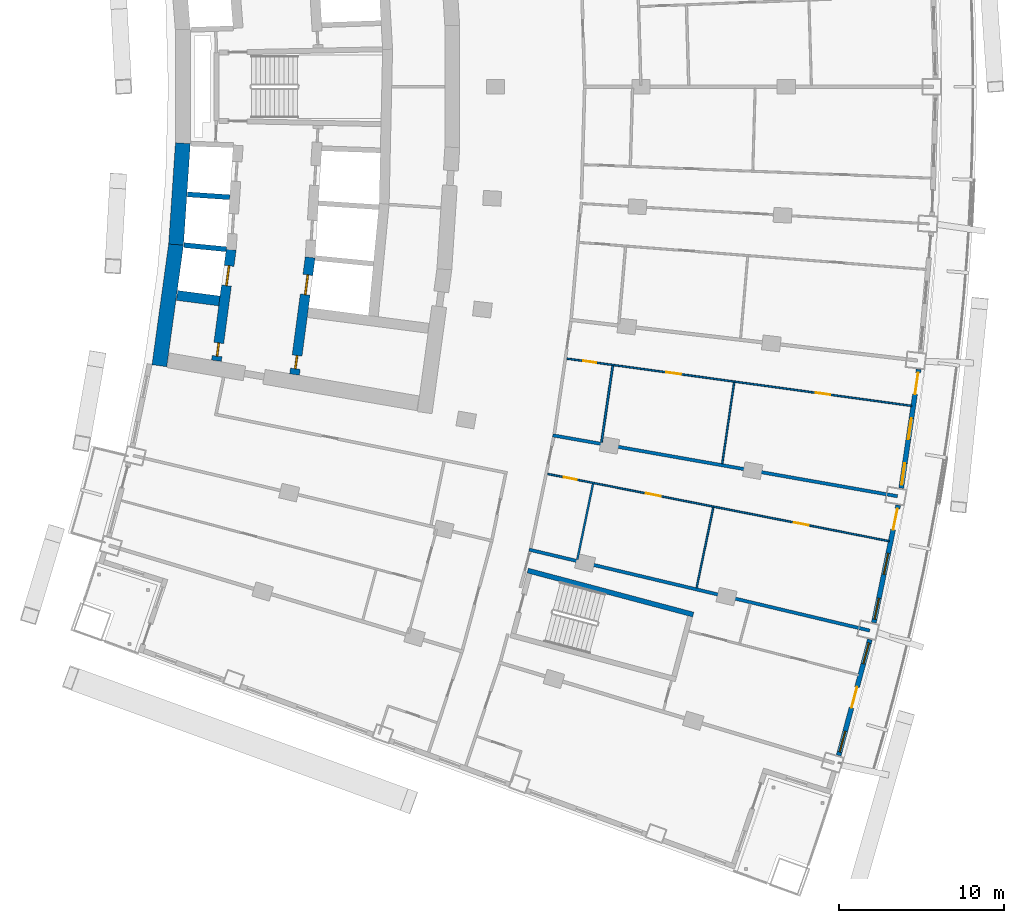
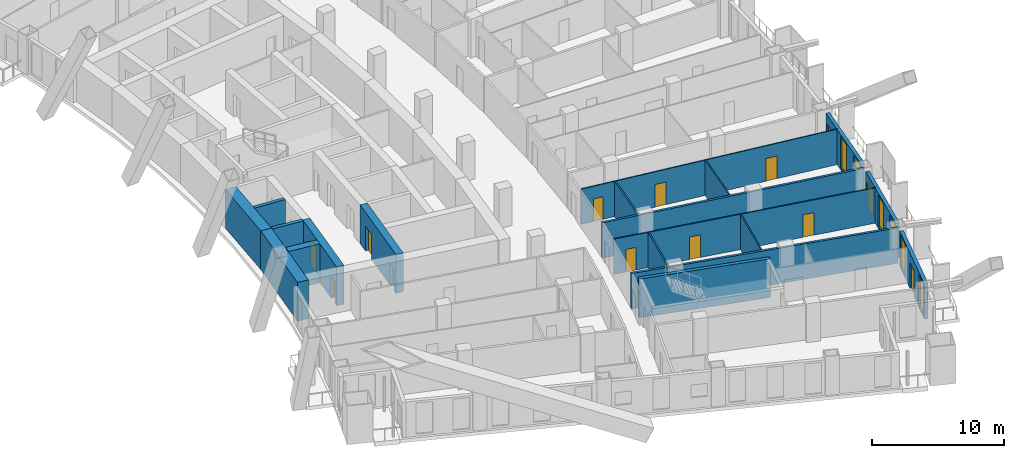
# One storey, part 15 of 25: 19 walls, 13 doors, 6 windows, 19 openings.
"""IFC4 building model written with IfcOpenShell, lengths in metres."""

import ifcopenshell
import ifcopenshell.guid

model = None  # the IFC model being written
_history = None  # IfcOwnerHistory: only IFC2X3 demands one
_inside = {}  # id of a spatial element -> (the spatial element, [elements in it])
_under = {}  # id of a project, library or spatial element -> (it, [spatial elements below it])
_declared = {}  # id of a project -> (the project, [libraries it declares])
_typed = {}  # id of a type object -> (the type object, [elements of that type])
_made_of = {}  # id of a material, layer set ... -> (it, [elements and type objects made of it])


def new_model(schema):
    """Start an empty IFC model of exactly this schema.

    Asked for "IFC4X3", IfcOpenShell would pick the latest addendum, in which some entities
    have other attributes; the version numbers below select the first issue.
    IFC2X3 requires an IfcOwnerHistory on every rooted entity: one is made here for all.
    """
    global model, _history
    if schema == "IFC4X3":
        model = ifcopenshell.file(schema_version=(4, 3, 0, 0))
    else:
        model = ifcopenshell.file(schema=schema)
    _inside.clear()
    _under.clear()
    _declared.clear()
    _typed.clear()
    _made_of.clear()
    _history = None
    if model.schema == "IFC2X3":
        org = make("IfcOrganization", Name="unknown")
        user = make(
            "IfcPersonAndOrganization",
            ThePerson=make("IfcPerson", FamilyName="unknown"),
            TheOrganization=org,
        )
        app = make(
            "IfcApplication",
            ApplicationDeveloper=org,
            Version="unknown",
            ApplicationFullName="unknown",
            ApplicationIdentifier="unknown",
        )
        _history = make(
            "IfcOwnerHistory",
            OwningUser=user,
            OwningApplication=app,
            ChangeAction="ADDED",
            CreationDate=0,
        )
    return model


def make(cls, **values):
    """One entity of the class cls with the attributes given. An attribute that is None is left unset."""
    return model.create_entity(
        cls, **{name: value for name, value in values.items() if value is not None}
    )


def rooted(cls, **values):
    """An entity with a GlobalId (a new one), such as an element, a storey or a relation."""
    return make(cls, GlobalId=ifcopenshell.guid.new(), OwnerHistory=_history, **values)


def si_unit(unit_type, name, prefix=None):
    """IfcSIUnit, for example si_unit("LENGTHUNIT", "METRE", prefix="MILLI")."""
    return make("IfcSIUnit", UnitType=unit_type, Prefix=prefix, Name=name)


def assignment(units):
    """IfcUnitAssignment: the units of a project."""
    return None if units is None else make("IfcUnitAssignment", Units=units)


def point(xyz):
    """IfcCartesianPoint."""
    return None if xyz is None else make("IfcCartesianPoint", Coordinates=xyz)


def direction(xyz):
    """IfcDirection."""
    return None if xyz is None else make("IfcDirection", DirectionRatios=xyz)


def frame(location, z_axis=None, x_axis=None):
    """IfcAxis2Placement3D, a coordinate frame: its origin and axes. An axis left out is left unset."""
    return make(
        "IfcAxis2Placement3D",
        Location=point(location),
        Axis=direction(z_axis),
        RefDirection=direction(x_axis),
    )


def frame_2d(location, x_axis=None):
    """IfcAxis2Placement2D, a coordinate frame in the plane: its origin and x axis."""
    return make(
        "IfcAxis2Placement2D", Location=point(location), RefDirection=direction(x_axis)
    )


def origin():
    """The frame at (0, 0, 0) with its axes left unset."""
    return frame((0.0, 0.0, 0.0))


def place(relative_to, where):
    """IfcLocalPlacement: puts the frame where relative to a parent placement (None: the world)."""
    return make(
        "IfcLocalPlacement", PlacementRelTo=relative_to, RelativePlacement=where
    )


def context(
    kind, dimensions, precision=None, world=None, true_north=None, identifier=None
):
    """IfcGeometricRepresentationContext, for example the 3D "Model" context."""
    return make(
        "IfcGeometricRepresentationContext",
        ContextIdentifier=identifier,
        ContextType=kind,
        CoordinateSpaceDimension=dimensions,
        Precision=precision,
        WorldCoordinateSystem=world,
        TrueNorth=true_north,
    )


def subcontext(parent, identifier, kind, view, scale=None):
    """IfcGeometricRepresentationSubContext, for example "Body" below "Model"."""
    return make(
        "IfcGeometricRepresentationSubContext",
        ContextIdentifier=identifier,
        ContextType=kind,
        ParentContext=parent,
        TargetScale=scale,
        TargetView=view,
    )


def project(units=None, contexts=None):
    """IfcProject with its units and contexts."""
    return rooted(
        "IfcProject",
        Name="project",
        RepresentationContexts=contexts,
        UnitsInContext=assignment(units),
    )


def spatial(cls, under=None, at=None, **own):
    """A site, building, storey or space (cls), placed at a placement, below another one or the project."""
    s = rooted(cls, ObjectPlacement=at, **own)
    if under is not None:
        _under.setdefault(under.id(), (under, []))[1].append(s)
    return s


def profile(cls, at=None, kind="AREA", **sizes):
    """A parametric profile (cls). Its sizes go by their IFC names, for example OverallWidth=200.0."""
    return make(cls, ProfileType=kind, Position=at, **sizes)


def rectangle(**sizes):
    """IfcRectangleProfileDef."""
    return profile("IfcRectangleProfileDef", **sizes)


def extrude(swept, where, along, depth):
    """IfcExtrudedAreaSolid: the profile swept, set in the frame where, extruded along a direction by depth."""
    return make(
        "IfcExtrudedAreaSolid",
        SweptArea=swept,
        Position=where,
        ExtrudedDirection=direction(along),
        Depth=depth,
    )


def shape(context_of_items, identifier, shape_type, items):
    """IfcShapeRepresentation: the items that make up one representation, for example the "Body"."""
    return make(
        "IfcShapeRepresentation",
        ContextOfItems=context_of_items,
        RepresentationIdentifier=identifier,
        RepresentationType=shape_type,
        Items=items,
    )


def material(Name=None, Category=None):
    """IfcMaterial."""
    return make("IfcMaterial", Name=Name, Category=Category)


def layer(
    of_material, thickness, ventilated=None, Name=None, Category=None, Priority=None
):
    """IfcMaterialLayer: one layer of a wall or slab, of a material (None: an air gap)."""
    return make(
        "IfcMaterialLayer",
        Material=of_material,
        LayerThickness=thickness,
        IsVentilated=ventilated,
        Name=Name,
        Category=Category,
        Priority=Priority,
    )


def layer_set(layers, Name=None):
    """IfcMaterialLayerSet."""
    return make("IfcMaterialLayerSet", MaterialLayers=layers, LayerSetName=Name)


def made_of(thing, what):
    """Note that an element or type object is made of a material, layer set ...; save() writes the relation."""
    if what is not None:
        _made_of.setdefault(what.id(), (what, []))[1].append(thing)
    return thing


def type_object(cls, material=None, **own):
    """A type object (cls), such as IfcWallType, which elements share."""
    return made_of(rooted(cls, **own), material)


def element(
    cls,
    number,
    at=None,
    inside=None,
    cuts=None,
    type_object=None,
    material=None,
    context=None,
    identifier="Body",
    shape_type=None,
    held_by="IfcProductDefinitionShape",
    body=None,
    shapes=None,
    **own,
):
    """One element of the class cls, such as IfcWall. Its Tag is "e" and its number.

    at: its placement. inside: the storey or other place that contains it. cuts: it is an
    opening in that element (IfcRelVoidsElement). A single representation is given by context,
    identifier, shape_type and body (its items); several are given by shapes. held_by: the class
    of the entity that holds the representations. save() writes the other relations.
    """
    e = rooted(cls, Tag="e%d" % number, ObjectPlacement=at, **own)
    if body is not None:
        shapes = [shape(context, identifier, shape_type, body)]
    if shapes is not None:
        e.Representation = make(held_by, Representations=shapes)
    if inside is not None:
        _inside.setdefault(inside.id(), (inside, []))[1].append(e)
    if cuts is not None:
        rooted(
            "IfcRelVoidsElement", RelatingBuildingElement=cuts, RelatedOpeningElement=e
        )
    if type_object is not None:
        _typed.setdefault(type_object.id(), (type_object, []))[1].append(e)
    return made_of(e, material)


def fill(opening, filler):
    """IfcRelFillsElement: the door or window that sits in an opening."""
    return rooted(
        "IfcRelFillsElement",
        RelatingOpeningElement=opening,
        RelatedBuildingElement=filler,
    )


def aggregate(whole, parts):
    """IfcRelAggregates: a whole, such as a stair, and the parts it consists of."""
    return rooted("IfcRelAggregates", RelatingObject=whole, RelatedObjects=parts)


def save(model, path):
    """Write the relations noted so far, then the file.

    IfcRelAggregates (storeys below a building ...), IfcRelContainedInSpatialStructure (elements
    in a storey), IfcRelDefinesByType, IfcRelAssociatesMaterial and IfcRelDeclares: one each for
    every whole, place, type object, material and project.
    """
    for whole, parts in _under.values():
        aggregate(whole, parts)
    for where, things in _inside.values():
        rooted(
            "IfcRelContainedInSpatialStructure",
            RelatedElements=things,
            RelatingStructure=where,
        )
    for kind, things in _typed.values():
        rooted("IfcRelDefinesByType", RelatedObjects=things, RelatingType=kind)
    for what, things in _made_of.values():
        rooted("IfcRelAssociatesMaterial", RelatedObjects=things, RelatingMaterial=what)
    for by, libraries in _declared.values():
        rooted("IfcRelDeclares", RelatingContext=by, RelatedDefinitions=libraries)
    model.write(path)


model = new_model("IFC4")

# Units and contexts
model_context = context("Model", 3, precision=1e-05, world=origin(), true_north=direction((0.0, 1.0)))
body_context = subcontext(model_context, "Body", "Model", "MODEL_VIEW")
ifc_project = project(units=[si_unit("LENGTHUNIT", "METRE"), si_unit("AREAUNIT", "SQUARE_METRE"), si_unit("VOLUMEUNIT", "CUBIC_METRE"), si_unit("PLANEANGLEUNIT", "RADIAN"), si_unit("MASSUNIT", "GRAM", prefix="KILO")], contexts=[model_context])

# Site, building, storey
site_placement = place(None, origin())
site = spatial("IfcSite", under=ifc_project, at=site_placement, CompositionType="ELEMENT")
building_placement = place(site_placement, origin())
building = spatial("IfcBuilding", under=site, at=building_placement, Name="Alderwake Tower", CompositionType="ELEMENT")
storey_placement = place(building_placement, frame((0.0, 0.0, 64.39990234375)))
storey = spatial("IfcBuildingStorey", under=building, at=storey_placement, Name="L15", CompositionType="ELEMENT", Elevation=64.39990234375)

# Walls
ifc_material_1 = material(Name="Concrete C70/85", Category="concrete")
ifc_layer_1 = layer(ifc_material_1, 0.89990234375)
ifc_layer_set_1 = layer_set([ifc_layer_1], Name="Core wall outer 900 C70-85")
wall_type_1 = type_object("IfcWallType", Name="Core wall outer 900 C70-85", PredefinedType="SHEAR", material=ifc_layer_set_1)
wall_1_placement = place(storey_placement, frame((15.46923828125, 44.1201171875, 0.0), z_axis=(0.0, 0.0, 1.0), x_axis=(0.136337234661, 0.990662484626, 0.0)))
element("IfcWall", 1, at=wall_1_placement, inside=storey, type_object=wall_type_1, Name="Core wall CW.042", PredefinedType="SHEAR", context=body_context, shape_type="SweptSolid", body=[
    extrude(rectangle(XDim=7.431396484375, YDim=0.89990234375, at=frame_2d((3.7158203125, 0.0))), origin(), (0.0, 0.0, 1.0), 3.60009765625),
])
wall_2_placement = place(storey_placement, frame((16.47900390625, 51.449951171875, 0.0), z_axis=(0.0, 0.0, 1.0), x_axis=(0.06689316208, 0.997760143956, 0.0)))
element("IfcWall", 2, at=wall_2_placement, inside=storey, type_object=wall_type_1, Name="Core wall CW.041", PredefinedType="SHEAR", context=body_context, shape_type="SweptSolid", body=[
    extrude(rectangle(XDim=6.149658203125, YDim=0.89990234375, at=frame_2d((3.07470703125, 0.0))), origin(), (0.0, 0.0, 1.0), 3.60009765625),
])
ifc_material_2 = material(Name="Concrete C70/85", Category="concrete")
ifc_layer_2 = layer(ifc_material_2, 0.300048828125)
ifc_layer_set_2 = layer_set([ifc_layer_2], Name="Core wall shaft 300 C70-85")
wall_type_2 = type_object("IfcWallType", Name="Core wall shaft 300 C70-85", PredefinedType="SHEAR", material=ifc_layer_set_2)
wall_3_placement = place(storey_placement, frame((16.9580078125, 51.4189453125, 0.0), z_axis=(0.0, 0.0, 1.0), x_axis=(0.995153154577, -0.098337169657, 0.0)))
element("IfcWall", 3, at=wall_3_placement, inside=storey, type_object=wall_type_2, Name="Core wall CW.065", PredefinedType="SHEAR", context=body_context, shape_type="SweptSolid", body=[
    extrude(rectangle(XDim=2.569580078125, YDim=0.300048828125, at=frame_2d((1.28466796875, 0.0))), origin(), (0.0, 0.0, 1.0), 3.60009765625),
])
wall_4_placement = place(storey_placement, frame((17.16357421875, 54.486083984375, 0.0), z_axis=(0.0, 0.0, 1.0), x_axis=(0.997758581961, -0.066916456292, 0.0)))
element("IfcWall", 4, at=wall_4_placement, inside=storey, type_object=wall_type_2, Name="Core wall CW.079", PredefinedType="SHEAR", context=body_context, shape_type="SweptSolid", body=[
    extrude(rectangle(XDim=2.568603515625, YDim=0.300048828125, at=frame_2d((1.2841796875, 0.0))), origin(), (0.0, 0.0, 1.0), 3.60009765625),
])

# Wall, openings, doors
ifc_material_3 = material(Name="Concrete C70/85", Category="concrete")
ifc_layer_3 = layer(ifc_material_3, 0.60009765625)
ifc_layer_set_3 = layer_set([ifc_layer_3], Name="Core wall spine 600 C70-85")
wall_type_3 = type_object("IfcWallType", Name="Core wall spine 600 C70-85", PredefinedType="SHEAR", material=ifc_layer_set_3)
wall_5_placement = place(storey_placement, frame((19.815185546875, 51.14697265625, 0.0), z_axis=(0.0, 0.0, 1.0), x_axis=(-0.131854836214, -0.991269036219, 0.0)))
wall_5 = element("IfcWall", 5, at=wall_5_placement, inside=storey, type_object=wall_type_3, Name="Core wall CW.033", PredefinedType="SHEAR", context=body_context, shape_type="SweptSolid", body=[
    extrude(rectangle(XDim=6.782470703125, YDim=0.60009765625, at=frame_2d((3.39111328125, 0.0))), origin(), (0.0, 0.0, 1.0), 3.60009765625),
])
opening_1_placement = place(wall_5_placement, frame((0.9921875, 0.0, 0.0)))
opening_1 = element("IfcOpeningElement", 6, at=opening_1_placement, cuts=wall_5, Name="Opening LD-LP1", PredefinedType="OPENING", context=body_context, shape_type="SweptSolid", body=[
    extrude(rectangle(XDim=1.199951171875, YDim=2.300048828125, at=frame_2d((0.60009765625, 1.14990234375))), frame((0.0, 0.31005859375, 0.0), z_axis=(0.0, -1.0, 0.0), x_axis=(1.0, 0.0, 0.0)), (0.0, 0.0, 1.0), 0.6201171875),
])
opening_2_placement = place(wall_5_placement, frame((5.699951171875, 0.0, 0.0)))
opening_2 = element("IfcOpeningElement", 7, at=opening_2_placement, cuts=wall_5, Name="Opening C007", PredefinedType="OPENING", context=body_context, shape_type="SweptSolid", body=[
    extrude(rectangle(XDim=0.800048828125, YDim=2.0, at=frame_2d((0.39990234375, 1.0))), frame((0.0, 0.31005859375, 0.0), z_axis=(0.0, -1.0, 0.0), x_axis=(1.0, 0.0, 0.0)), (0.0, 0.0, 1.0), 0.6201171875),
])
ifc_material_4 = material(Name="Stainless steel sliding leaf", Category="steel")
door_type_1 = type_object("IfcDoorType", Name="Lift landing door 1200", OperationType="SLIDING_TO_LEFT", PredefinedType="DOOR", material=ifc_material_4)
door_1_placement = place(opening_1_placement, origin())
door_1 = element("IfcDoor", 8, at=door_1_placement, inside=storey, type_object=door_type_1, Name="Lift landing door LP1", OperationType="SLIDING_TO_LEFT", OverallHeight=2.300048828125, OverallWidth=1.199951171875, PredefinedType="DOOR", context=body_context, shape_type="SweptSolid", body=[
    extrude(rectangle(XDim=1.199951171875, YDim=2.300048828125, at=frame_2d((0.60009765625, 1.14990234375))), frame((0.0, 0.050048828125, 0.0), z_axis=(0.0, -1.0, 0.0), x_axis=(1.0, 0.0, 0.0)), (0.0, 0.0, 1.0), 0.10009765625),
])
fill(opening_1, door_1)
ifc_material_5 = material(Name="Painted steel leaf, rated", Category="steel")
door_type_2 = type_object("IfcDoorType", Name="Riser access door 800", OperationType="SINGLE_SWING_LEFT", PredefinedType="DOOR", material=ifc_material_5)
door_2_placement = place(opening_2_placement, origin())
door_2 = element("IfcDoor", 9, at=door_2_placement, inside=storey, type_object=door_type_2, Name="Riser access door", OperationType="SINGLE_SWING_LEFT", OverallHeight=2.0, OverallWidth=0.800048828125, PredefinedType="DOOR", context=body_context, shape_type="SweptSolid", body=[
    extrude(rectangle(XDim=0.800048828125, YDim=2.0, at=frame_2d((0.39990234375, 1.0))), frame((0.0, 0.050048828125, 0.0), z_axis=(0.0, -1.0, 0.0), x_axis=(1.0, 0.0, 0.0)), (0.0, 0.0, 1.0), 0.10009765625),
])
fill(opening_2, door_2)

wall_6_placement = place(storey_placement, frame((23.647705078125, 43.588134765625, 0.0), z_axis=(0.0, 0.0, 1.0), x_axis=(0.132069785658, 0.991240420744, 0.0)))
wall_6 = element("IfcWall", 10, at=wall_6_placement, inside=storey, type_object=wall_type_3, Name="Core wall CW.047", PredefinedType="SHEAR", context=body_context, shape_type="SweptSolid", body=[
    extrude(rectangle(XDim=7.150390625, YDim=0.60009765625, at=frame_2d((3.5751953125, 0.0))), origin(), (0.0, 0.0, 1.0), 3.60009765625),
])
opening_3_placement = place(wall_6_placement, frame((4.88134765625, 0.0, 0.0)))
opening_3 = element("IfcOpeningElement", 11, at=opening_3_placement, cuts=wall_6, Name="Opening LD-LP4", PredefinedType="OPENING", context=body_context, shape_type="SweptSolid", body=[
    extrude(rectangle(XDim=1.199951171875, YDim=2.300048828125, at=frame_2d((0.60009765625, 1.14990234375))), frame((0.0, 0.31005859375, 0.0), z_axis=(0.0, -1.0, 0.0), x_axis=(1.0, 0.0, 0.0)), (0.0, 0.0, 1.0), 0.6201171875),
])
opening_4_placement = place(wall_6_placement, frame((0.35791015625, 0.0, 0.0)))
opening_4 = element("IfcOpeningElement", 12, at=opening_4_placement, cuts=wall_6, Name="Opening C014", PredefinedType="OPENING", context=body_context, shape_type="SweptSolid", body=[
    extrude(rectangle(XDim=0.800048828125, YDim=2.0, at=frame_2d((0.39990234375, 1.0))), frame((0.0, 0.31005859375, 0.0), z_axis=(0.0, -1.0, 0.0), x_axis=(1.0, 0.0, 0.0)), (0.0, 0.0, 1.0), 0.6201171875),
])
door_3_placement = place(opening_3_placement, origin())
door_3 = element("IfcDoor", 13, at=door_3_placement, inside=storey, type_object=door_type_1, Name="Lift landing door LP4", OperationType="SLIDING_TO_LEFT", OverallHeight=2.300048828125, OverallWidth=1.199951171875, PredefinedType="DOOR", context=body_context, shape_type="SweptSolid", body=[
    extrude(rectangle(XDim=1.199951171875, YDim=2.300048828125, at=frame_2d((0.60009765625, 1.14990234375))), frame((0.0, 0.050048828125, 0.0), z_axis=(0.0, -1.0, 0.0), x_axis=(1.0, 0.0, 0.0)), (0.0, 0.0, 1.0), 0.10009765625),
])
fill(opening_3, door_3)
door_4_placement = place(opening_4_placement, origin())
door_4 = element("IfcDoor", 14, at=door_4_placement, inside=storey, type_object=door_type_2, Name="Riser access door", OperationType="SINGLE_SWING_RIGHT", OverallHeight=2.0, OverallWidth=0.800048828125, PredefinedType="DOOR", context=body_context, shape_type="SweptSolid", body=[
    extrude(rectangle(XDim=0.800048828125, YDim=2.0, at=frame_2d((0.39990234375, 1.0))), frame((0.0, 0.050048828125, 0.0), z_axis=(0.0, -1.0, 0.0), x_axis=(1.0, 0.0, 0.0)), (0.0, 0.0, 1.0), 0.10009765625),
])
fill(opening_4, door_4)

# Walls
wall_7_placement = place(storey_placement, frame((16.5390625, 48.373291015625, 0.0), z_axis=(0.0, 0.0, 1.0), x_axis=(0.99156081818, -0.129642369037, 0.0)))
element("IfcWall", 15, at=wall_7_placement, inside=storey, type_object=wall_type_3, Name="Core wall CW.067", PredefinedType="SHEAR", context=body_context, shape_type="SweptSolid", body=[
    extrude(rectangle(XDim=2.581787109375, YDim=0.60009765625, at=frame_2d((1.291015625, 0.0))), origin(), (0.0, 0.0, 1.0), 3.60009765625),
])
ifc_material_6 = material(Name="Concrete C70/85", Category="concrete")
ifc_layer_4 = layer(ifc_material_6, 0.300048828125)
ifc_layer_set_4 = layer_set([ifc_layer_4], Name="Core wall stair enclosure 300 C70-85")
wall_type_4 = type_object("IfcWallType", Name="Core wall stair enclosure 300 C70-85", PredefinedType="SHEAR", material=ifc_layer_set_4)
wall_8_placement = place(storey_placement, frame((37.75390625, 31.731201171875, 0.0), z_axis=(0.0, 0.0, 1.0), x_axis=(0.966309214305, -0.257383958996, 0.0)))
element("IfcWall", 16, at=wall_8_placement, inside=storey, type_object=wall_type_4, Name="Core wall CW.086", PredefinedType="SHEAR", context=body_context, shape_type="SweptSolid", body=[
    extrude(rectangle(XDim=10.360107421875, YDim=0.300048828125, at=frame_2d((5.18017578125, 0.0))), origin(), (0.0, 0.0, 1.0), 3.60009765625),
])

# Wall, openings, door, windows
ifc_material_7 = material(Name="Precast concrete C50/60 spandrel panel", Category="concrete")
ifc_layer_5 = layer(ifc_material_7, 0.300048828125)
ifc_layer_set_5 = layer_set([ifc_layer_5], Name="External wall EW1 Precast concrete C50/60 spandrel")
wall_type_5 = type_object("IfcWallType", Name="External wall EW1 Precast concrete C50/60 spandrel", PredefinedType="SOLIDWALL", material=ifc_layer_set_5)
wall_9_placement = place(storey_placement, frame((56.56982421875, 20.545166015625, 0.0), z_axis=(0.0, 0.0, 1.0), x_axis=(0.259495836826, 0.96574422632, 0.0)))
wall_9 = element("IfcWall", 17, at=wall_9_placement, inside=storey, type_object=wall_type_5, Name="External wall 12", PredefinedType="SOLIDWALL", context=body_context, shape_type="SweptSolid", body=[
    extrude(rectangle(XDim=7.259521484375, YDim=0.300048828125, at=frame_2d((3.6298828125, 0.0))), origin(), (0.0, 0.0, 1.0), 3.280029296875),
])
opening_5_placement = place(wall_9_placement, frame((0.215087890625, 0.0, 0.199951171875)))
opening_5 = element("IfcOpeningElement", 18, at=opening_5_placement, cuts=wall_9, Name="Opening W1", PredefinedType="OPENING", context=body_context, shape_type="SweptSolid", body=[
    extrude(rectangle(XDim=1.300048828125, YDim=2.89990234375, at=frame_2d((0.64990234375, 1.449951171875))), frame((0.0, 0.159912109375, 0.0), z_axis=(0.0, -1.0, 0.0), x_axis=(1.0, 0.0, 0.0)), (0.0, 0.0, 1.0), 0.320068359375),
])
opening_6_placement = place(wall_9_placement, frame((2.979736328125, 0.0, 0.0)))
opening_6 = element("IfcOpeningElement", 19, at=opening_6_placement, cuts=wall_9, Name="Opening D03", PredefinedType="OPENING", context=body_context, shape_type="SweptSolid", body=[
    extrude(rectangle(XDim=1.300048828125, YDim=2.39990234375, at=frame_2d((0.64990234375, 1.199951171875))), frame((0.0, 0.159912109375, 0.0), z_axis=(0.0, -1.0, 0.0), x_axis=(1.0, 0.0, 0.0)), (0.0, 0.0, 1.0), 0.320068359375),
])
opening_7_placement = place(wall_9_placement, frame((5.744384765625, 0.0, 0.199951171875)))
opening_7 = element("IfcOpeningElement", 20, at=opening_7_placement, cuts=wall_9, Name="Opening W1", PredefinedType="OPENING", context=body_context, shape_type="SweptSolid", body=[
    extrude(rectangle(XDim=1.300048828125, YDim=2.89990234375, at=frame_2d((0.64990234375, 1.449951171875))), frame((0.0, 0.159912109375, 0.0), z_axis=(0.0, -1.0, 0.0), x_axis=(1.0, 0.0, 0.0)), (0.0, 0.0, 1.0), 0.320068359375),
])
ifc_material_8 = material(Name="Bronze tinted glass in aluminium frame", Category="aluminium")
door_type_3 = type_object("IfcDoorType", Name="Balcony door BD sliding", OperationType="SLIDING_TO_LEFT", PredefinedType="DOOR", material=ifc_material_8)
door_5_placement = place(opening_6_placement, origin())
door_5 = element("IfcDoor", 21, at=door_5_placement, inside=storey, type_object=door_type_3, Name="Door D03", OperationType="SLIDING_TO_LEFT", OverallHeight=2.39990234375, OverallWidth=1.300048828125, PredefinedType="DOOR", context=body_context, shape_type="SweptSolid", body=[
    extrude(rectangle(XDim=1.300048828125, YDim=2.39990234375, at=frame_2d((0.64990234375, 1.199951171875))), frame((0.0, 0.02490234375, 0.0), z_axis=(0.0, -1.0, 0.0), x_axis=(1.0, 0.0, 0.0)), (0.0, 0.0, 1.0), 0.050048828125),
])
fill(opening_6, door_5)
ifc_material_9 = material(Name="Bronze tinted glass in aluminium frame", Category="aluminium")
window_type = type_object("IfcWindowType", Name="Window W1 tall fixed and vent", PartitioningType="DOUBLE_PANEL_VERTICAL", PredefinedType="WINDOW", material=ifc_material_9)
window_1_placement = place(opening_5_placement, origin())
window_1 = element("IfcWindow", 22, at=window_1_placement, inside=storey, type_object=window_type, Name="Window W1 tall fixed and vent", OverallHeight=2.89990234375, OverallWidth=1.300048828125, PartitioningType="DOUBLE_PANEL_VERTICAL", PredefinedType="WINDOW", context=body_context, shape_type="SweptSolid", body=[
    extrude(rectangle(XDim=1.300048828125, YDim=2.89990234375, at=frame_2d((0.64990234375, 1.449951171875))), frame((0.0, 0.030029296875, 0.0), z_axis=(0.0, -1.0, 0.0), x_axis=(1.0, 0.0, 0.0)), (0.0, 0.0, 1.0), 0.06005859375),
])
fill(opening_5, window_1)
window_2_placement = place(opening_7_placement, origin())
window_2 = element("IfcWindow", 23, at=window_2_placement, inside=storey, type_object=window_type, Name="Window W1 tall fixed and vent", OverallHeight=2.89990234375, OverallWidth=1.300048828125, PartitioningType="DOUBLE_PANEL_VERTICAL", PredefinedType="WINDOW", context=body_context, shape_type="SweptSolid", body=[
    extrude(rectangle(XDim=1.300048828125, YDim=2.89990234375, at=frame_2d((0.64990234375, 1.449951171875))), frame((0.0, 0.030029296875, 0.0), z_axis=(0.0, -1.0, 0.0), x_axis=(1.0, 0.0, 0.0)), (0.0, 0.0, 1.0), 0.06005859375),
])
fill(opening_7, window_2)

wall_10_placement = place(storey_placement, frame((58.696044921875, 28.576171875, 0.0), z_axis=(0.0, 0.0, 1.0), x_axis=(0.20276685811, 0.97922704275, 0.0)))
wall_10 = element("IfcWall", 24, at=wall_10_placement, inside=storey, type_object=wall_type_5, Name="External wall 13", PredefinedType="SOLIDWALL", context=body_context, shape_type="SweptSolid", body=[
    extrude(rectangle(XDim=7.25927734375, YDim=0.300048828125, at=frame_2d((3.629638671875, 0.0))), origin(), (0.0, 0.0, 1.0), 3.280029296875),
])
opening_8_placement = place(wall_10_placement, frame((0.215087890625, 0.0, 0.199951171875)))
opening_8 = element("IfcOpeningElement", 25, at=opening_8_placement, cuts=wall_10, Name="Opening W1", PredefinedType="OPENING", context=body_context, shape_type="SweptSolid", body=[
    extrude(rectangle(XDim=1.300048828125, YDim=2.89990234375, at=frame_2d((0.64990234375, 1.449951171875))), frame((0.0, 0.159912109375, 0.0), z_axis=(0.0, -1.0, 0.0), x_axis=(1.0, 0.0, 0.0)), (0.0, 0.0, 1.0), 0.320068359375),
])
opening_9_placement = place(wall_10_placement, frame((2.9794921875, 0.0, 0.199951171875)))
opening_9 = element("IfcOpeningElement", 26, at=opening_9_placement, cuts=wall_10, Name="Opening W1", PredefinedType="OPENING", context=body_context, shape_type="SweptSolid", body=[
    extrude(rectangle(XDim=1.300048828125, YDim=2.89990234375, at=frame_2d((0.64990234375, 1.449951171875))), frame((0.0, 0.159912109375, 0.0), z_axis=(0.0, -1.0, 0.0), x_axis=(1.0, 0.0, 0.0)), (0.0, 0.0, 1.0), 0.320068359375),
])
opening_10_placement = place(wall_10_placement, frame((5.744140625, 0.0, 0.0)))
opening_10 = element("IfcOpeningElement", 27, at=opening_10_placement, cuts=wall_10, Name="Opening D04", PredefinedType="OPENING", context=body_context, shape_type="SweptSolid", body=[
    extrude(rectangle(XDim=1.300048828125, YDim=2.39990234375, at=frame_2d((0.64990234375, 1.199951171875))), frame((0.0, 0.159912109375, 0.0), z_axis=(0.0, -1.0, 0.0), x_axis=(1.0, 0.0, 0.0)), (0.0, 0.0, 1.0), 0.320068359375),
])
door_6_placement = place(opening_10_placement, origin())
door_6 = element("IfcDoor", 28, at=door_6_placement, inside=storey, type_object=door_type_3, Name="Door D04", OperationType="SLIDING_TO_LEFT", OverallHeight=2.39990234375, OverallWidth=1.300048828125, PredefinedType="DOOR", context=body_context, shape_type="SweptSolid", body=[
    extrude(rectangle(XDim=1.300048828125, YDim=2.39990234375, at=frame_2d((0.64990234375, 1.199951171875))), frame((0.0, 0.02490234375, 0.0), z_axis=(0.0, -1.0, 0.0), x_axis=(1.0, 0.0, 0.0)), (0.0, 0.0, 1.0), 0.050048828125),
])
fill(opening_10, door_6)
window_3_placement = place(opening_8_placement, origin())
window_3 = element("IfcWindow", 29, at=window_3_placement, inside=storey, type_object=window_type, Name="Window W1 tall fixed and vent", OverallHeight=2.89990234375, OverallWidth=1.300048828125, PartitioningType="DOUBLE_PANEL_VERTICAL", PredefinedType="WINDOW", context=body_context, shape_type="SweptSolid", body=[
    extrude(rectangle(XDim=1.300048828125, YDim=2.89990234375, at=frame_2d((0.64990234375, 1.449951171875))), frame((0.0, 0.030029296875, 0.0), z_axis=(0.0, -1.0, 0.0), x_axis=(1.0, 0.0, 0.0)), (0.0, 0.0, 1.0), 0.06005859375),
])
fill(opening_8, window_3)
window_4_placement = place(opening_9_placement, origin())
window_4 = element("IfcWindow", 30, at=window_4_placement, inside=storey, type_object=window_type, Name="Window W1 tall fixed and vent", OverallHeight=2.89990234375, OverallWidth=1.300048828125, PartitioningType="DOUBLE_PANEL_VERTICAL", PredefinedType="WINDOW", context=body_context, shape_type="SweptSolid", body=[
    extrude(rectangle(XDim=1.300048828125, YDim=2.89990234375, at=frame_2d((0.64990234375, 1.449951171875))), frame((0.0, 0.030029296875, 0.0), z_axis=(0.0, -1.0, 0.0), x_axis=(1.0, 0.0, 0.0)), (0.0, 0.0, 1.0), 0.06005859375),
])
fill(opening_9, window_4)

wall_11_placement = place(storey_placement, frame((60.3505859375, 36.71728515625, 0.0), z_axis=(0.0, 0.0, 1.0), x_axis=(0.145323578953, 0.989384180892, 0.0)))
wall_11 = element("IfcWall", 31, at=wall_11_placement, inside=storey, type_object=wall_type_5, Name="External wall 14", PredefinedType="SOLIDWALL", context=body_context, shape_type="SweptSolid", body=[
    extrude(rectangle(XDim=7.25927734375, YDim=0.300048828125, at=frame_2d((3.629638671875, 0.0))), origin(), (0.0, 0.0, 1.0), 3.280029296875),
])
opening_11_placement = place(wall_11_placement, frame((0.215087890625, 0.0, 0.199951171875)))
opening_11 = element("IfcOpeningElement", 32, at=opening_11_placement, cuts=wall_11, Name="Opening W1", PredefinedType="OPENING", context=body_context, shape_type="SweptSolid", body=[
    extrude(rectangle(XDim=1.300048828125, YDim=2.89990234375, at=frame_2d((0.64990234375, 1.449951171875))), frame((0.0, 0.159912109375, 0.0), z_axis=(0.0, -1.0, 0.0), x_axis=(1.0, 0.0, 0.0)), (0.0, 0.0, 1.0), 0.320068359375),
])
opening_12_placement = place(wall_11_placement, frame((2.9794921875, 0.0, 0.199951171875)))
opening_12 = element("IfcOpeningElement", 33, at=opening_12_placement, cuts=wall_11, Name="Opening W1", PredefinedType="OPENING", context=body_context, shape_type="SweptSolid", body=[
    extrude(rectangle(XDim=1.300048828125, YDim=2.89990234375, at=frame_2d((0.64990234375, 1.449951171875))), frame((0.0, 0.159912109375, 0.0), z_axis=(0.0, -1.0, 0.0), x_axis=(1.0, 0.0, 0.0)), (0.0, 0.0, 1.0), 0.320068359375),
])
opening_13_placement = place(wall_11_placement, frame((5.744140625, 0.0, 0.0)))
opening_13 = element("IfcOpeningElement", 34, at=opening_13_placement, cuts=wall_11, Name="Opening D05", PredefinedType="OPENING", context=body_context, shape_type="SweptSolid", body=[
    extrude(rectangle(XDim=1.300048828125, YDim=2.39990234375, at=frame_2d((0.64990234375, 1.199951171875))), frame((0.0, 0.159912109375, 0.0), z_axis=(0.0, -1.0, 0.0), x_axis=(1.0, 0.0, 0.0)), (0.0, 0.0, 1.0), 0.320068359375),
])
door_7_placement = place(opening_13_placement, origin())
door_7 = element("IfcDoor", 35, at=door_7_placement, inside=storey, type_object=door_type_3, Name="Door D05", OperationType="SLIDING_TO_LEFT", OverallHeight=2.39990234375, OverallWidth=1.300048828125, PredefinedType="DOOR", context=body_context, shape_type="SweptSolid", body=[
    extrude(rectangle(XDim=1.300048828125, YDim=2.39990234375, at=frame_2d((0.64990234375, 1.199951171875))), frame((0.0, 0.02490234375, 0.0), z_axis=(0.0, -1.0, 0.0), x_axis=(1.0, 0.0, 0.0)), (0.0, 0.0, 1.0), 0.050048828125),
])
fill(opening_13, door_7)
window_5_placement = place(opening_11_placement, origin())
window_5 = element("IfcWindow", 36, at=window_5_placement, inside=storey, type_object=window_type, Name="Window W1 tall fixed and vent", OverallHeight=2.89990234375, OverallWidth=1.300048828125, PartitioningType="DOUBLE_PANEL_VERTICAL", PredefinedType="WINDOW", context=body_context, shape_type="SweptSolid", body=[
    extrude(rectangle(XDim=1.300048828125, YDim=2.89990234375, at=frame_2d((0.64990234375, 1.449951171875))), frame((0.0, 0.030029296875, 0.0), z_axis=(0.0, -1.0, 0.0), x_axis=(1.0, 0.0, 0.0)), (0.0, 0.0, 1.0), 0.06005859375),
])
fill(opening_11, window_5)
window_6_placement = place(opening_12_placement, origin())
window_6 = element("IfcWindow", 37, at=window_6_placement, inside=storey, type_object=window_type, Name="Window W1 tall fixed and vent", OverallHeight=2.89990234375, OverallWidth=1.300048828125, PartitioningType="DOUBLE_PANEL_VERTICAL", PredefinedType="WINDOW", context=body_context, shape_type="SweptSolid", body=[
    extrude(rectangle(XDim=1.300048828125, YDim=2.89990234375, at=frame_2d((0.64990234375, 1.449951171875))), frame((0.0, 0.030029296875, 0.0), z_axis=(0.0, -1.0, 0.0), x_axis=(1.0, 0.0, 0.0)), (0.0, 0.0, 1.0), 0.06005859375),
])
fill(opening_12, window_6)

# Walls
ifc_material_10 = material(Name="Dense block masonry wall", Category="masonry")
ifc_layer_6 = layer(ifc_material_10, 0.199951171875)
ifc_layer_set_6 = layer_set([ifc_layer_6], Name="Party wall 200")
wall_type_6 = type_object("IfcWallType", Name="Party wall 200", PredefinedType="SOLIDWALL", material=ifc_layer_set_6)
wall_12_placement = place(storey_placement, frame((37.839111328125, 32.994384765625, 0.0), z_axis=(0.0, 0.0, 1.0), x_axis=(0.972904338918, -0.23120801741, 0.0)))
element("IfcWall", 38, at=wall_12_placement, inside=storey, type_object=wall_type_6, Name="WL/L15/W06", PredefinedType="SOLIDWALL", context=body_context, shape_type="SweptSolid", body=[
    extrude(rectangle(XDim=21.177734375, YDim=0.199951171875, at=frame_2d((10.5888671875, 0.0))), origin(), (0.0, 0.0, 1.0), 3.280029296875),
])
wall_13_placement = place(storey_placement, frame((60.1259765625, 36.22509765625, 0.0), z_axis=(0.0, 0.0, 1.0), x_axis=(-0.984741522194, 0.174023373334, 0.0)))
element("IfcWall", 39, at=wall_13_placement, inside=storey, type_object=wall_type_6, Name="WL/L15/W10", PredefinedType="SOLIDWALL", context=body_context, shape_type="SweptSolid", body=[
    extrude(rectangle(XDim=21.179931640625, YDim=0.199951171875, at=frame_2d((10.58984375, 0.0))), origin(), (0.0, 0.0, 1.0), 3.280029296875),
])

# Wall, openings, doors
ifc_material_11 = material(Name="Gypsum board on metal studs")
ifc_layer_7 = layer(ifc_material_11, 0.10009765625)
ifc_layer_set_7 = layer_set([ifc_layer_7], Name="Unit partition 100")
wall_type_7 = type_object("IfcWallType", Name="Unit partition 100", PredefinedType="PARTITIONING", material=ifc_layer_set_7)
wall_14_placement = place(storey_placement, frame((59.615966796875, 33.507080078125, 0.0), z_axis=(0.0, 0.0, 1.0), x_axis=(-0.981175702379, 0.193117169254, 0.0)))
wall_14 = element("IfcWall", 40, at=wall_14_placement, inside=storey, type_object=wall_type_7, Name="WL/L15/W70", PredefinedType="PARTITIONING", context=body_context, shape_type="SweptSolid", body=[
    extrude(rectangle(XDim=21.06298828125, YDim=0.10009765625, at=frame_2d((10.531494140625, 0.0))), origin(), (0.0, 0.0, 1.0), 3.280029296875),
])
opening_14_placement = place(wall_14_placement, frame((14.087158203125, 0.0, 0.0)))
opening_14 = element("IfcOpeningElement", 41, at=opening_14_placement, cuts=wall_14, Name="Opening R04-U05.1", PredefinedType="OPENING", context=body_context, shape_type="SweptSolid", body=[
    extrude(rectangle(XDim=0.89990234375, YDim=2.10009765625, at=frame_2d((0.449951171875, 1.050048828125))), frame((0.0, 0.06005859375, 0.0), z_axis=(0.0, -1.0, 0.0), x_axis=(1.0, 0.0, 0.0)), (0.0, 0.0, 1.0), 0.1201171875),
])
opening_15_placement = place(wall_14_placement, frame((19.25341796875, 0.0, 0.0)))
opening_15 = element("IfcOpeningElement", 42, at=opening_15_placement, cuts=wall_14, Name="Opening R04-U05.3", PredefinedType="OPENING", context=body_context, shape_type="SweptSolid", body=[
    extrude(rectangle(XDim=0.800048828125, YDim=2.10009765625, at=frame_2d((0.39990234375, 1.050048828125))), frame((0.0, 0.06005859375, 0.0), z_axis=(0.0, -1.0, 0.0), x_axis=(1.0, 0.0, 0.0)), (0.0, 0.0, 1.0), 0.1201171875),
])
opening_16_placement = place(wall_14_placement, frame((4.96533203125, 0.0, 0.0)))
opening_16 = element("IfcOpeningElement", 43, at=opening_16_placement, cuts=wall_14, Name="Opening R04-U05.4", PredefinedType="OPENING", context=body_context, shape_type="SweptSolid", body=[
    extrude(rectangle(XDim=0.89990234375, YDim=2.10009765625, at=frame_2d((0.449951171875, 1.050048828125))), frame((0.0, 0.06005859375, 0.0), z_axis=(0.0, -1.0, 0.0), x_axis=(1.0, 0.0, 0.0)), (0.0, 0.0, 1.0), 0.1201171875),
])
ifc_material_12 = material(Name="Painted timber leaf", Category="wood")
door_type_4 = type_object("IfcDoorType", Name="Bathroom door 800", OperationType="SINGLE_SWING_LEFT", PredefinedType="DOOR", material=ifc_material_12)
door_8_placement = place(opening_15_placement, origin())
door_8 = element("IfcDoor", 44, at=door_8_placement, inside=storey, type_object=door_type_4, Name="DR/L15/U05.3", OperationType="SINGLE_SWING_LEFT", OverallHeight=2.10009765625, OverallWidth=0.800048828125, PredefinedType="DOOR", context=body_context, shape_type="SweptSolid", body=[
    extrude(rectangle(XDim=0.800048828125, YDim=2.10009765625, at=frame_2d((0.39990234375, 1.050048828125))), frame((0.0, 0.02490234375, 0.0), z_axis=(0.0, -1.0, 0.0), x_axis=(1.0, 0.0, 0.0)), (0.0, 0.0, 1.0), 0.050048828125),
])
fill(opening_15, door_8)
ifc_material_13 = material(Name="Painted timber leaf", Category="wood")
door_type_5 = type_object("IfcDoorType", Name="Room door 900", OperationType="SINGLE_SWING_LEFT", PredefinedType="DOOR", material=ifc_material_13)
door_9_placement = place(opening_14_placement, origin())
door_9 = element("IfcDoor", 45, at=door_9_placement, inside=storey, type_object=door_type_5, Name="DR/L15/U05.1", OperationType="SINGLE_SWING_LEFT", OverallHeight=2.10009765625, OverallWidth=0.89990234375, PredefinedType="DOOR", context=body_context, shape_type="SweptSolid", body=[
    extrude(rectangle(XDim=0.89990234375, YDim=2.10009765625, at=frame_2d((0.449951171875, 1.050048828125))), frame((0.0, 0.02490234375, 0.0), z_axis=(0.0, -1.0, 0.0), x_axis=(1.0, 0.0, 0.0)), (0.0, 0.0, 1.0), 0.050048828125),
])
fill(opening_14, door_9)
door_10_placement = place(opening_16_placement, origin())
door_10 = element("IfcDoor", 46, at=door_10_placement, inside=storey, type_object=door_type_5, Name="DR/L15/U05.4", OperationType="SINGLE_SWING_LEFT", OverallHeight=2.10009765625, OverallWidth=0.89990234375, PredefinedType="DOOR", context=body_context, shape_type="SweptSolid", body=[
    extrude(rectangle(XDim=0.89990234375, YDim=2.10009765625, at=frame_2d((0.449951171875, 1.050048828125))), frame((0.0, 0.02490234375, 0.0), z_axis=(0.0, -1.0, 0.0), x_axis=(1.0, 0.0, 0.0)), (0.0, 0.0, 1.0), 0.050048828125),
])
fill(opening_16, door_10)

wall_15_placement = place(storey_placement, frame((60.98095703125, 41.69091796875, 0.0), z_axis=(0.0, 0.0, 1.0), x_axis=(-0.99073682352, 0.13579597388, 0.0)))
wall_15 = element("IfcWall", 47, at=wall_15_placement, inside=storey, type_object=wall_type_7, Name="WL/L15/W71", PredefinedType="PARTITIONING", context=body_context, shape_type="SweptSolid", body=[
    extrude(rectangle(XDim=21.061767578125, YDim=0.10009765625, at=frame_2d((10.53076171875, 0.0))), origin(), (0.0, 0.0, 1.0), 3.280029296875),
])
opening_17_placement = place(wall_15_placement, frame((14.087158203125, 0.0, 0.0)))
opening_17 = element("IfcOpeningElement", 48, at=opening_17_placement, cuts=wall_15, Name="Opening R04-U06.1", PredefinedType="OPENING", context=body_context, shape_type="SweptSolid", body=[
    extrude(rectangle(XDim=0.89990234375, YDim=2.10009765625, at=frame_2d((0.449951171875, 1.050048828125))), frame((0.0, 0.06005859375, 0.0), z_axis=(0.0, -1.0, 0.0), x_axis=(1.0, 0.0, 0.0)), (0.0, 0.0, 1.0), 0.1201171875),
])
opening_18_placement = place(wall_15_placement, frame((19.2529296875, 0.0, 0.0)))
opening_18 = element("IfcOpeningElement", 49, at=opening_18_placement, cuts=wall_15, Name="Opening R04-U06.3", PredefinedType="OPENING", context=body_context, shape_type="SweptSolid", body=[
    extrude(rectangle(XDim=0.800048828125, YDim=2.10009765625, at=frame_2d((0.39990234375, 1.050048828125))), frame((0.0, 0.06005859375, 0.0), z_axis=(0.0, -1.0, 0.0), x_axis=(1.0, 0.0, 0.0)), (0.0, 0.0, 1.0), 0.1201171875),
])
opening_19_placement = place(wall_15_placement, frame((4.96533203125, 0.0, 0.0)))
opening_19 = element("IfcOpeningElement", 50, at=opening_19_placement, cuts=wall_15, Name="Opening R04-U06.4", PredefinedType="OPENING", context=body_context, shape_type="SweptSolid", body=[
    extrude(rectangle(XDim=0.89990234375, YDim=2.10009765625, at=frame_2d((0.449951171875, 1.050048828125))), frame((0.0, 0.06005859375, 0.0), z_axis=(0.0, -1.0, 0.0), x_axis=(1.0, 0.0, 0.0)), (0.0, 0.0, 1.0), 0.1201171875),
])
door_11_placement = place(opening_18_placement, origin())
door_11 = element("IfcDoor", 51, at=door_11_placement, inside=storey, type_object=door_type_4, Name="DR/L15/U06.3", OperationType="SINGLE_SWING_LEFT", OverallHeight=2.10009765625, OverallWidth=0.800048828125, PredefinedType="DOOR", context=body_context, shape_type="SweptSolid", body=[
    extrude(rectangle(XDim=0.800048828125, YDim=2.10009765625, at=frame_2d((0.39990234375, 1.050048828125))), frame((0.0, 0.02490234375, 0.0), z_axis=(0.0, -1.0, 0.0), x_axis=(1.0, 0.0, 0.0)), (0.0, 0.0, 1.0), 0.050048828125),
])
fill(opening_18, door_11)
door_12_placement = place(opening_17_placement, origin())
door_12 = element("IfcDoor", 52, at=door_12_placement, inside=storey, type_object=door_type_5, Name="DR/L15/U06.1", OperationType="SINGLE_SWING_LEFT", OverallHeight=2.10009765625, OverallWidth=0.89990234375, PredefinedType="DOOR", context=body_context, shape_type="SweptSolid", body=[
    extrude(rectangle(XDim=0.89990234375, YDim=2.10009765625, at=frame_2d((0.449951171875, 1.050048828125))), frame((0.0, 0.02490234375, 0.0), z_axis=(0.0, -1.0, 0.0), x_axis=(1.0, 0.0, 0.0)), (0.0, 0.0, 1.0), 0.050048828125),
])
fill(opening_17, door_12)
door_13_placement = place(opening_19_placement, origin())
door_13 = element("IfcDoor", 53, at=door_13_placement, inside=storey, type_object=door_type_5, Name="DR/L15/U06.4", OperationType="SINGLE_SWING_LEFT", OverallHeight=2.10009765625, OverallWidth=0.89990234375, PredefinedType="DOOR", context=body_context, shape_type="SweptSolid", body=[
    extrude(rectangle(XDim=0.89990234375, YDim=2.10009765625, at=frame_2d((0.449951171875, 1.050048828125))), frame((0.0, 0.02490234375, 0.0), z_axis=(0.0, -1.0, 0.0), x_axis=(1.0, 0.0, 0.0)), (0.0, 0.0, 1.0), 0.050048828125),
])
fill(opening_19, door_13)

# Walls
wall_16_placement = place(storey_placement, frame((47.972412109375, 30.68896484375, 0.0), z_axis=(0.0, 0.0, 1.0), x_axis=(0.202950413488, 0.979189016312, 0.0)))
element("IfcWall", 54, at=wall_16_placement, inside=storey, type_object=wall_type_7, Name="WL/L15/W80", PredefinedType="PARTITIONING", context=body_context, shape_type="SweptSolid", body=[
    extrude(rectangle(XDim=4.96337890625, YDim=0.10009765625, at=frame_2d((2.481689453125, 0.0))), origin(), (0.0, 0.0, 1.0), 3.280029296875),
])
wall_17_placement = place(storey_placement, frame((49.5234375, 38.201904296875, 0.0), z_axis=(0.0, 0.0, 1.0), x_axis=(0.144995379555, 0.989432332152, 0.0)))
element("IfcWall", 55, at=wall_17_placement, inside=storey, type_object=wall_type_7, Name="WL/L15/W81", PredefinedType="PARTITIONING", context=body_context, shape_type="SweptSolid", body=[
    extrude(rectangle(XDim=4.962158203125, YDim=0.10009765625, at=frame_2d((2.48095703125, 0.0))), origin(), (0.0, 0.0, 1.0), 3.280029296875),
])
ifc_material_14 = material(Name="Moisture resistant gypsum board on metal studs")
ifc_layer_8 = layer(ifc_material_14, 0.1201171875)
ifc_layer_set_8 = layer_set([ifc_layer_8], Name="Wet room partition 120")
wall_type_8 = type_object("IfcWallType", Name="Wet room partition 120", PredefinedType="PARTITIONING", material=ifc_layer_set_8)
wall_18_placement = place(storey_placement, frame((40.75732421875, 32.402099609375, 0.0), z_axis=(0.0, 0.0, 1.0), x_axis=(0.202555554597, 0.97927077323, 0.0)))
element("IfcWall", 56, at=wall_18_placement, inside=storey, type_object=wall_type_8, Name="WL/L15/W54", PredefinedType="PARTITIONING", context=body_context, shape_type="SweptSolid", body=[
    extrude(rectangle(XDim=4.677734375, YDim=0.1201171875, at=frame_2d((2.3388671875, 0.0))), origin(), (0.0, 0.0, 1.0), 3.280029296875),
])
wall_19_placement = place(storey_placement, frame((42.218505859375, 39.491943359375, 0.0), z_axis=(0.0, 0.0, 1.0), x_axis=(0.145515042, 0.989356039326, 0.0)))
element("IfcWall", 57, at=wall_19_placement, inside=storey, type_object=wall_type_8, Name="WL/L15/W56", PredefinedType="PARTITIONING", context=body_context, shape_type="SweptSolid", body=[
    extrude(rectangle(XDim=4.67431640625, YDim=0.1201171875, at=frame_2d((2.337158203125, 0.0))), origin(), (0.0, 0.0, 1.0), 3.280029296875),
])

save(model, "model.ifc")
